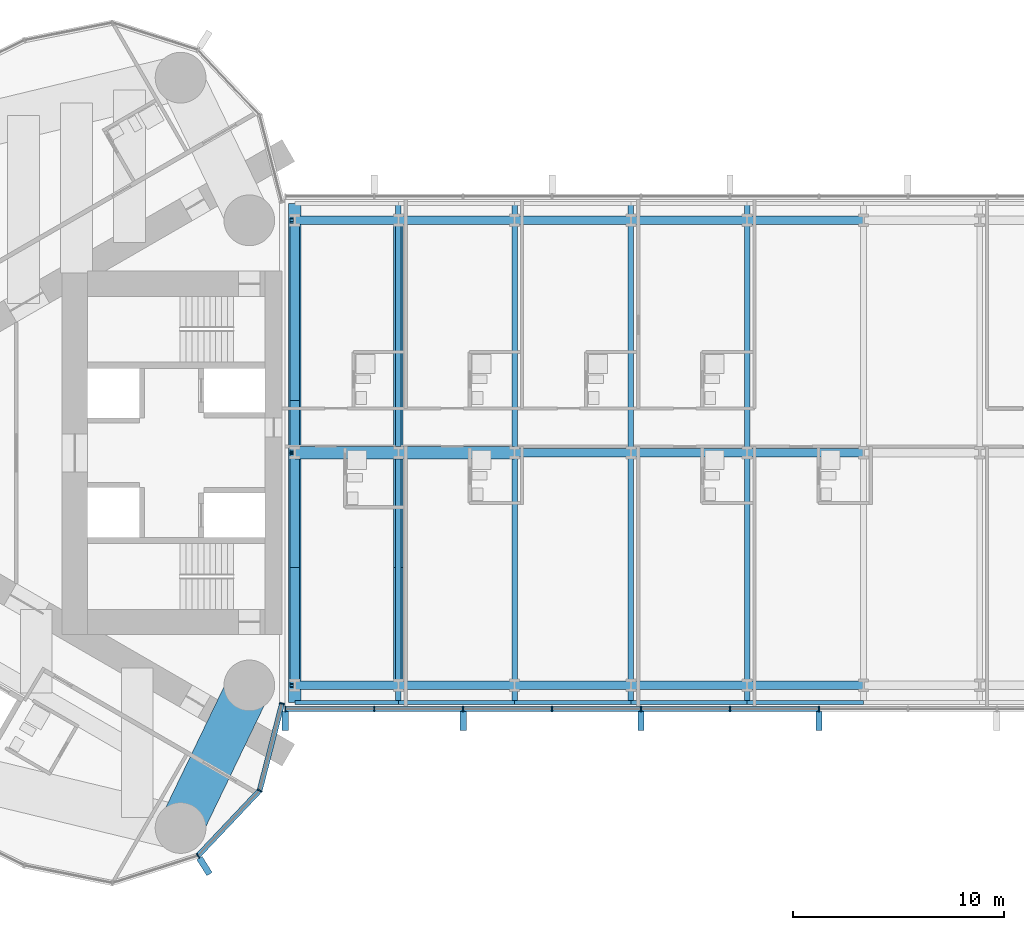
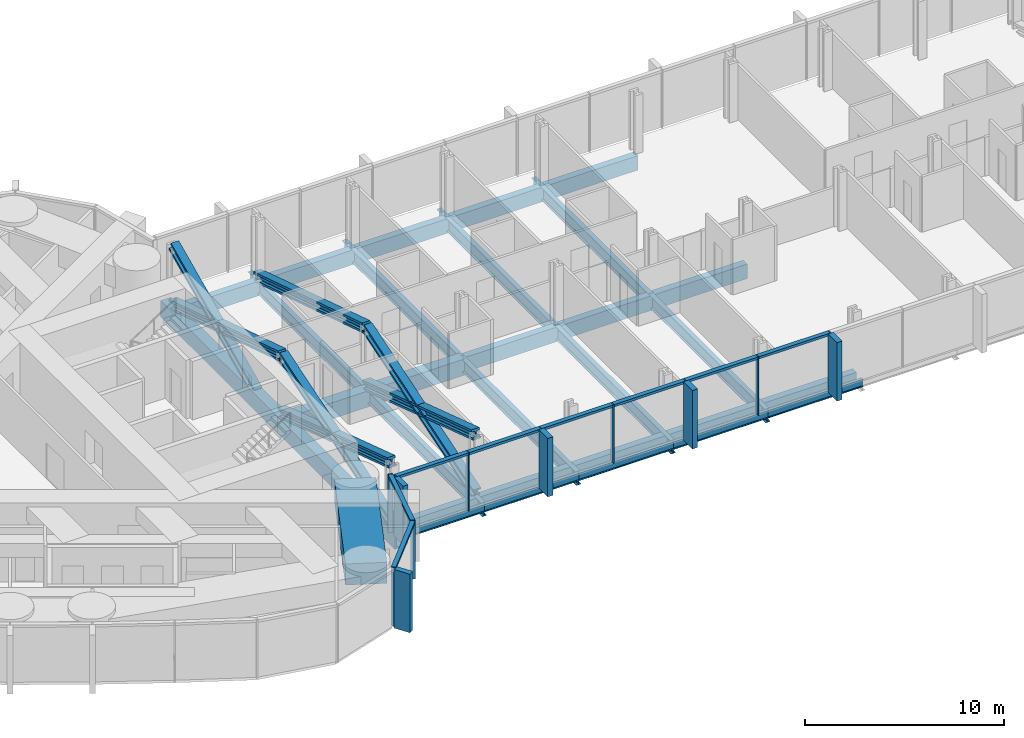
# One storey, part 4 of 22: 31 beams, 30 members, 2 elements without a shape of their own.
"""IFC4 building model written with IfcOpenShell, lengths in metres."""

import ifcopenshell
import ifcopenshell.guid

model = None  # the IFC model being written
_history = None  # IfcOwnerHistory: only IFC2X3 demands one
_inside = {}  # id of a spatial element -> (the spatial element, [elements in it])
_under = {}  # id of a project, library or spatial element -> (it, [spatial elements below it])
_declared = {}  # id of a project -> (the project, [libraries it declares])
_typed = {}  # id of a type object -> (the type object, [elements of that type])
_made_of = {}  # id of a material, layer set ... -> (it, [elements and type objects made of it])


def new_model(schema):
    """Start an empty IFC model of exactly this schema.

    Asked for "IFC4X3", IfcOpenShell would pick the latest addendum, in which some entities
    have other attributes; the version numbers below select the first issue.
    IFC2X3 requires an IfcOwnerHistory on every rooted entity: one is made here for all.
    """
    global model, _history
    if schema == "IFC4X3":
        model = ifcopenshell.file(schema_version=(4, 3, 0, 0))
    else:
        model = ifcopenshell.file(schema=schema)
    _inside.clear()
    _under.clear()
    _declared.clear()
    _typed.clear()
    _made_of.clear()
    _history = None
    if model.schema == "IFC2X3":
        org = make("IfcOrganization", Name="unknown")
        user = make(
            "IfcPersonAndOrganization",
            ThePerson=make("IfcPerson", FamilyName="unknown"),
            TheOrganization=org,
        )
        app = make(
            "IfcApplication",
            ApplicationDeveloper=org,
            Version="unknown",
            ApplicationFullName="unknown",
            ApplicationIdentifier="unknown",
        )
        _history = make(
            "IfcOwnerHistory",
            OwningUser=user,
            OwningApplication=app,
            ChangeAction="ADDED",
            CreationDate=0,
        )
    return model


def make(cls, **values):
    """One entity of the class cls with the attributes given. An attribute that is None is left unset."""
    return model.create_entity(
        cls, **{name: value for name, value in values.items() if value is not None}
    )


def rooted(cls, **values):
    """An entity with a GlobalId (a new one), such as an element, a storey or a relation."""
    return make(cls, GlobalId=ifcopenshell.guid.new(), OwnerHistory=_history, **values)


def si_unit(unit_type, name, prefix=None):
    """IfcSIUnit, for example si_unit("LENGTHUNIT", "METRE", prefix="MILLI")."""
    return make("IfcSIUnit", UnitType=unit_type, Prefix=prefix, Name=name)


def assignment(units):
    """IfcUnitAssignment: the units of a project."""
    return None if units is None else make("IfcUnitAssignment", Units=units)


def point(xyz):
    """IfcCartesianPoint."""
    return None if xyz is None else make("IfcCartesianPoint", Coordinates=xyz)


def direction(xyz):
    """IfcDirection."""
    return None if xyz is None else make("IfcDirection", DirectionRatios=xyz)


def frame(location, z_axis=None, x_axis=None):
    """IfcAxis2Placement3D, a coordinate frame: its origin and axes. An axis left out is left unset."""
    return make(
        "IfcAxis2Placement3D",
        Location=point(location),
        Axis=direction(z_axis),
        RefDirection=direction(x_axis),
    )


def frame_2d(location, x_axis=None):
    """IfcAxis2Placement2D, a coordinate frame in the plane: its origin and x axis."""
    return make(
        "IfcAxis2Placement2D", Location=point(location), RefDirection=direction(x_axis)
    )


def origin():
    """The frame at (0, 0, 0) with its axes left unset."""
    return frame((0.0, 0.0, 0.0))


def origin_2d():
    """The frame at (0, 0) in the plane with its x axis left unset."""
    return frame_2d((0.0, 0.0))


def place(relative_to, where):
    """IfcLocalPlacement: puts the frame where relative to a parent placement (None: the world)."""
    return make(
        "IfcLocalPlacement", PlacementRelTo=relative_to, RelativePlacement=where
    )


def context(
    kind, dimensions, precision=None, world=None, true_north=None, identifier=None
):
    """IfcGeometricRepresentationContext, for example the 3D "Model" context."""
    return make(
        "IfcGeometricRepresentationContext",
        ContextIdentifier=identifier,
        ContextType=kind,
        CoordinateSpaceDimension=dimensions,
        Precision=precision,
        WorldCoordinateSystem=world,
        TrueNorth=true_north,
    )


def subcontext(parent, identifier, kind, view, scale=None):
    """IfcGeometricRepresentationSubContext, for example "Body" below "Model"."""
    return make(
        "IfcGeometricRepresentationSubContext",
        ContextIdentifier=identifier,
        ContextType=kind,
        ParentContext=parent,
        TargetScale=scale,
        TargetView=view,
    )


def project(units=None, contexts=None):
    """IfcProject with its units and contexts."""
    return rooted(
        "IfcProject",
        Name="project",
        RepresentationContexts=contexts,
        UnitsInContext=assignment(units),
    )


def spatial(cls, under=None, at=None, **own):
    """A site, building, storey or space (cls), placed at a placement, below another one or the project."""
    s = rooted(cls, ObjectPlacement=at, **own)
    if under is not None:
        _under.setdefault(under.id(), (under, []))[1].append(s)
    return s


def profile(cls, at=None, kind="AREA", **sizes):
    """A parametric profile (cls). Its sizes go by their IFC names, for example OverallWidth=200.0."""
    return make(cls, ProfileType=kind, Position=at, **sizes)


def rectangle(**sizes):
    """IfcRectangleProfileDef."""
    return profile("IfcRectangleProfileDef", **sizes)


def hollow_rectangle(**sizes):
    """IfcRectangleHollowProfileDef."""
    return profile("IfcRectangleHollowProfileDef", **sizes)


def i_section(**sizes):
    """IfcIShapeProfileDef."""
    return profile("IfcIShapeProfileDef", **sizes)


def extrude(swept, where, along, depth):
    """IfcExtrudedAreaSolid: the profile swept, set in the frame where, extruded along a direction by depth."""
    return make(
        "IfcExtrudedAreaSolid",
        SweptArea=swept,
        Position=where,
        ExtrudedDirection=direction(along),
        Depth=depth,
    )


def shape(context_of_items, identifier, shape_type, items):
    """IfcShapeRepresentation: the items that make up one representation, for example the "Body"."""
    return make(
        "IfcShapeRepresentation",
        ContextOfItems=context_of_items,
        RepresentationIdentifier=identifier,
        RepresentationType=shape_type,
        Items=items,
    )


def material(Name=None, Category=None):
    """IfcMaterial."""
    return make("IfcMaterial", Name=Name, Category=Category)


def material_profile(
    of_material, cross_section, Name=None, Category=None, Priority=None
):
    """IfcMaterialProfile: a cross section and its material."""
    return make(
        "IfcMaterialProfile",
        Name=Name,
        Material=of_material,
        Profile=cross_section,
        Priority=Priority,
        Category=Category,
    )


def profile_set(profiles, Name=None, composite=None):
    """IfcMaterialProfileSet."""
    return make(
        "IfcMaterialProfileSet",
        Name=Name,
        MaterialProfiles=profiles,
        CompositeProfile=composite,
    )


def made_of(thing, what):
    """Note that an element or type object is made of a material, layer set ...; save() writes the relation."""
    if what is not None:
        _made_of.setdefault(what.id(), (what, []))[1].append(thing)
    return thing


def type_object(cls, material=None, **own):
    """A type object (cls), such as IfcWallType, which elements share."""
    return made_of(rooted(cls, **own), material)


def element(
    cls,
    number,
    at=None,
    inside=None,
    cuts=None,
    type_object=None,
    material=None,
    context=None,
    identifier="Body",
    shape_type=None,
    held_by="IfcProductDefinitionShape",
    body=None,
    shapes=None,
    **own,
):
    """One element of the class cls, such as IfcWall. Its Tag is "e" and its number.

    at: its placement. inside: the storey or other place that contains it. cuts: it is an
    opening in that element (IfcRelVoidsElement). A single representation is given by context,
    identifier, shape_type and body (its items); several are given by shapes. held_by: the class
    of the entity that holds the representations. save() writes the other relations.
    """
    e = rooted(cls, Tag="e%d" % number, ObjectPlacement=at, **own)
    if body is not None:
        shapes = [shape(context, identifier, shape_type, body)]
    if shapes is not None:
        e.Representation = make(held_by, Representations=shapes)
    if inside is not None:
        _inside.setdefault(inside.id(), (inside, []))[1].append(e)
    if cuts is not None:
        rooted(
            "IfcRelVoidsElement", RelatingBuildingElement=cuts, RelatedOpeningElement=e
        )
    if type_object is not None:
        _typed.setdefault(type_object.id(), (type_object, []))[1].append(e)
    return made_of(e, material)


def aggregate(whole, parts):
    """IfcRelAggregates: a whole, such as a stair, and the parts it consists of."""
    return rooted("IfcRelAggregates", RelatingObject=whole, RelatedObjects=parts)


def save(model, path):
    """Write the relations noted so far, then the file.

    IfcRelAggregates (storeys below a building ...), IfcRelContainedInSpatialStructure (elements
    in a storey), IfcRelDefinesByType, IfcRelAssociatesMaterial and IfcRelDeclares: one each for
    every whole, place, type object, material and project.
    """
    for whole, parts in _under.values():
        aggregate(whole, parts)
    for where, things in _inside.values():
        rooted(
            "IfcRelContainedInSpatialStructure",
            RelatedElements=things,
            RelatingStructure=where,
        )
    for kind, things in _typed.values():
        rooted("IfcRelDefinesByType", RelatedObjects=things, RelatingType=kind)
    for what, things in _made_of.values():
        rooted("IfcRelAssociatesMaterial", RelatedObjects=things, RelatingMaterial=what)
    for by, libraries in _declared.values():
        rooted("IfcRelDeclares", RelatingContext=by, RelatedDefinitions=libraries)
    model.write(path)


model = new_model("IFC4")

# Units and contexts
model_context = context("Model", 3, precision=1e-05, world=origin(), true_north=direction((0.0, 1.0)))
body_context = subcontext(model_context, "Body", "Model", "MODEL_VIEW")
ifc_project = project(units=[si_unit("LENGTHUNIT", "METRE"), si_unit("AREAUNIT", "SQUARE_METRE"), si_unit("VOLUMEUNIT", "CUBIC_METRE"), si_unit("PLANEANGLEUNIT", "RADIAN"), si_unit("MASSUNIT", "GRAM", prefix="KILO")], contexts=[model_context])

# Site, building, storey
site_placement = place(None, origin())
site = spatial("IfcSite", under=ifc_project, at=site_placement, CompositionType="ELEMENT")
building_placement = place(site_placement, origin())
building = spatial("IfcBuilding", under=site, at=building_placement, Name="Lancet Gate Hotel", CompositionType="ELEMENT")
storey_placement = place(building_placement, frame((0.0, 0.0, 233.300048828125)))
storey = spatial("IfcBuildingStorey", under=building, at=storey_placement, Name="L62", CompositionType="ELEMENT", Elevation=233.300048828125)

# Curtain wall, members
ifc_material_1 = material(Name="Aluminium curtain wall", Category="aluminium")
curtain_wall_type_1 = type_object("IfcCurtainWallType", Name="Tower unitised curtain wall", PredefinedType="USERDEFINED", material=ifc_material_1)
curtain_wall_1_placement = place(storey_placement, origin())
curtain_wall_1 = element("IfcCurtainWall", 1, at=curtain_wall_1_placement, inside=storey, type_object=curtain_wall_type_1, Name="T1 L62 curtain wall 1", ObjectType="UNITISED CURTAIN WALL", PredefinedType="USERDEFINED")
ifc_material_2 = material(Name="Aluminium mullion", Category="aluminium")
ifc_material_profile_1 = material_profile(ifc_material_2, rectangle(XDim=0.06494140625, YDim=0.25, at=origin_2d()), Name="MULLION 65x250")
ifc_profile_set_1 = profile_set([ifc_material_profile_1], Name="Aluminium mullion")
member_type_1 = type_object("IfcMemberType", Name="Aluminium mullion 65x250", PredefinedType="MULLION", material=ifc_profile_set_1)
member_1_placement = place(storey_placement, frame((-31.476318359375, -19.0576171875, 0.0), z_axis=(0.0, 0.0, 1.0), x_axis=(0.846612863, 0.532209225966, 0.0)))
member_1 = element("IfcMember", 2, at=member_1_placement, type_object=member_type_1, Name="T1 L62 curtain wall 1 mullion 23", PredefinedType="MULLION", context=body_context, shape_type="SweptSolid", body=[
    extrude(rectangle(XDim=0.06494140625, YDim=0.25, at=origin_2d()), origin(), (0.0, 0.0, 1.0), 3.599853515625),
])
member_2_placement = place(storey_placement, frame((-28.56005859375, -15.97216796875, 0.0), z_axis=(0.0, 0.0, 1.0), x_axis=(0.483627322447, 0.875274021654, 0.0)))
member_2 = element("IfcMember", 3, at=member_2_placement, type_object=member_type_1, Name="T1 L62 curtain wall 1 mullion 24", PredefinedType="MULLION", context=body_context, shape_type="SweptSolid", body=[
    extrude(rectangle(XDim=0.06494140625, YDim=0.25, at=origin_2d()), origin(), (0.0, 0.0, 1.0), 3.599853515625),
])
member_3_placement = place(storey_placement, frame((-27.5, -11.861572265625, 0.0), z_axis=(0.0, 0.0, 1.0), x_axis=(0.249725827997, 0.968316586056, 0.0)))
member_3 = element("IfcMember", 4, at=member_3_placement, type_object=member_type_1, Name="T1 L62 curtain wall 1 mullion 25", PredefinedType="MULLION", context=body_context, shape_type="SweptSolid", body=[
    extrude(rectangle(XDim=0.06494140625, YDim=0.25, at=origin_2d()), origin(), (0.0, 0.0, 1.0), 3.599853515625),
])

ifc_material_3 = material(Name="Aluminium curtain wall", Category="aluminium")
curtain_wall_type_2 = type_object("IfcCurtainWallType", Name="Bridge block curtain wall", PredefinedType="USERDEFINED", material=ifc_material_3)
curtain_wall_2_placement = place(storey_placement, origin())
curtain_wall_2 = element("IfcCurtainWall", 5, at=curtain_wall_2_placement, inside=storey, type_object=curtain_wall_type_2, Name="Bridge block L62 curtain wall S", ObjectType="UNITISED CURTAIN WALL", PredefinedType="USERDEFINED")
member_4_placement = place(storey_placement, frame((-27.35009765625, -12.1201171875, 0.0), z_axis=(0.0, 0.0, 1.0), x_axis=(1.0, 0.0, 0.0)))
member_4 = element("IfcMember", 6, at=member_4_placement, type_object=member_type_1, Name="Bridge block L62 curtain wall S mullion 1", PredefinedType="MULLION", context=body_context, shape_type="SweptSolid", body=[
    extrude(rectangle(XDim=0.06494140625, YDim=0.25, at=origin_2d()), origin(), (0.0, 0.0, 1.0), 3.599853515625),
])
member_5_placement = place(storey_placement, frame((-23.142333984375, -12.1201171875, 0.0), z_axis=(0.0, 0.0, 1.0), x_axis=(1.0, 0.0, 0.0)))
member_5 = element("IfcMember", 7, at=member_5_placement, type_object=member_type_1, Name="Bridge block L62 curtain wall S mullion 2", PredefinedType="MULLION", context=body_context, shape_type="SweptSolid", body=[
    extrude(rectangle(XDim=0.06494140625, YDim=0.25, at=origin_2d()), origin(), (0.0, 0.0, 1.0), 3.599853515625),
])
member_6_placement = place(storey_placement, frame((-18.9345703125, -12.1201171875, 0.0), z_axis=(0.0, 0.0, 1.0), x_axis=(1.0, 0.0, 0.0)))
member_6 = element("IfcMember", 8, at=member_6_placement, type_object=member_type_1, Name="Bridge block L62 curtain wall S mullion 3", PredefinedType="MULLION", context=body_context, shape_type="SweptSolid", body=[
    extrude(rectangle(XDim=0.06494140625, YDim=0.25, at=origin_2d()), origin(), (0.0, 0.0, 1.0), 3.599853515625),
])
member_7_placement = place(storey_placement, frame((-14.726806640625, -12.1201171875, 0.0), z_axis=(0.0, 0.0, 1.0), x_axis=(1.0, 0.0, 0.0)))
member_7 = element("IfcMember", 9, at=member_7_placement, type_object=member_type_1, Name="Bridge block L62 curtain wall S mullion 4", PredefinedType="MULLION", context=body_context, shape_type="SweptSolid", body=[
    extrude(rectangle(XDim=0.06494140625, YDim=0.25, at=origin_2d()), origin(), (0.0, 0.0, 1.0), 3.599853515625),
])
member_8_placement = place(storey_placement, frame((-10.519287109375, -12.1201171875, 0.0), z_axis=(0.0, 0.0, 1.0), x_axis=(1.0, 0.0, 0.0)))
member_8 = element("IfcMember", 10, at=member_8_placement, type_object=member_type_1, Name="Bridge block L62 curtain wall S mullion 5", PredefinedType="MULLION", context=body_context, shape_type="SweptSolid", body=[
    extrude(rectangle(XDim=0.06494140625, YDim=0.25, at=origin_2d()), origin(), (0.0, 0.0, 1.0), 3.599853515625),
])
member_9_placement = place(storey_placement, frame((-6.3115234375, -12.1201171875, 0.0), z_axis=(0.0, 0.0, 1.0), x_axis=(1.0, 0.0, 0.0)))
member_9 = element("IfcMember", 11, at=member_9_placement, type_object=member_type_1, Name="Bridge block L62 curtain wall S mullion 6", PredefinedType="MULLION", context=body_context, shape_type="SweptSolid", body=[
    extrude(rectangle(XDim=0.06494140625, YDim=0.25, at=origin_2d()), origin(), (0.0, 0.0, 1.0), 3.599853515625),
])
member_10_placement = place(storey_placement, frame((-2.103759765625, -12.1201171875, 0.0), z_axis=(0.0, 0.0, 1.0), x_axis=(1.0, 0.0, 0.0)))
member_10 = element("IfcMember", 12, at=member_10_placement, type_object=member_type_1, Name="Bridge block L62 curtain wall S mullion 7", PredefinedType="MULLION", context=body_context, shape_type="SweptSolid", body=[
    extrude(rectangle(XDim=0.06494140625, YDim=0.25, at=origin_2d()), origin(), (0.0, 0.0, 1.0), 3.599853515625),
])

# Member
ifc_material_4 = material(Name="Aluminium transom", Category="aluminium")
ifc_material_profile_2 = material_profile(ifc_material_4, rectangle(XDim=0.25, YDim=0.14990234375, at=origin_2d()), Name="TRANSOM 250x150")
ifc_profile_set_2 = profile_set([ifc_material_profile_2], Name="Aluminium transom")
member_type_2 = type_object("IfcMemberType", Name="Aluminium transom 250x150", PredefinedType="USERDEFINED", material=ifc_profile_set_2)
member_11_placement = place(storey_placement, frame((-31.453857421875, -19.033935546875, 3.52490234375), z_axis=(0.686880731091, 0.726770157103, 0.0), x_axis=(-0.726770157103, 0.686880731091, 0.0)))
member_11 = element("IfcMember", 13, at=member_11_placement, type_object=member_type_2, Name="T1 L62 curtain wall 1 transom 23", ObjectType="TRANSOM", PredefinedType="USERDEFINED", context=body_context, shape_type="SweptSolid", body=[
    extrude(rectangle(XDim=0.25, YDim=0.14990234375, at=origin_2d()), origin(), (0.0, 0.0, 1.0), 4.18017578125),
])

member_12_placement = place(storey_placement, frame((-28.552001953125, -15.94091796875, 3.52490234375), z_axis=(0.249715522936, 0.968319243641, 0.0), x_axis=(-0.968319243641, 0.249715522936, 0.0)))
member_12 = element("IfcMember", 14, at=member_12_placement, type_object=member_type_2, Name="T1 L62 curtain wall 1 transom 24", ObjectType="TRANSOM", PredefinedType="USERDEFINED", context=body_context, shape_type="SweptSolid", body=[
    extrude(rectangle(XDim=0.25, YDim=0.14990234375, at=origin_2d()), origin(), (0.0, 0.0, 1.0), 4.180419921875),
])

member_13_placement = place(storey_placement, frame((-27.3173828125, -12.1201171875, 3.52490234375), z_axis=(1.0, 0.0, 0.0), x_axis=(0.0, 1.0, 0.0)))
member_13 = element("IfcMember", 15, at=member_13_placement, type_object=member_type_2, Name="Bridge block L62 curtain wall S transom 1", ObjectType="TRANSOM", PredefinedType="USERDEFINED", context=body_context, shape_type="SweptSolid", body=[
    extrude(rectangle(XDim=0.25, YDim=0.14990234375, at=origin_2d()), origin(), (0.0, 0.0, 1.0), 4.142578125),
])

member_14_placement = place(storey_placement, frame((-23.10986328125, -12.1201171875, 3.52490234375), z_axis=(1.0, 0.0, 0.0), x_axis=(0.0, 1.0, 0.0)))
member_14 = element("IfcMember", 16, at=member_14_placement, type_object=member_type_2, Name="Bridge block L62 curtain wall S transom 2", ObjectType="TRANSOM", PredefinedType="USERDEFINED", context=body_context, shape_type="SweptSolid", body=[
    extrude(rectangle(XDim=0.25, YDim=0.14990234375, at=origin_2d()), origin(), (0.0, 0.0, 1.0), 4.142822265625),
])

member_15_placement = place(storey_placement, frame((-18.902099609375, -12.1201171875, 3.52490234375), z_axis=(1.0, 0.0, 0.0), x_axis=(0.0, 1.0, 0.0)))
member_15 = element("IfcMember", 17, at=member_15_placement, type_object=member_type_2, Name="Bridge block L62 curtain wall S transom 3", ObjectType="TRANSOM", PredefinedType="USERDEFINED", context=body_context, shape_type="SweptSolid", body=[
    extrude(rectangle(XDim=0.25, YDim=0.14990234375, at=origin_2d()), origin(), (0.0, 0.0, 1.0), 4.142578125),
])

member_16_placement = place(storey_placement, frame((-14.6943359375, -12.1201171875, 3.52490234375), z_axis=(1.0, 0.0, 0.0), x_axis=(0.0, 1.0, 0.0)))
member_16 = element("IfcMember", 18, at=member_16_placement, type_object=member_type_2, Name="Bridge block L62 curtain wall S transom 4", ObjectType="TRANSOM", PredefinedType="USERDEFINED", context=body_context, shape_type="SweptSolid", body=[
    extrude(rectangle(XDim=0.25, YDim=0.14990234375, at=origin_2d()), origin(), (0.0, 0.0, 1.0), 4.142578125),
])

member_17_placement = place(storey_placement, frame((-10.48681640625, -12.1201171875, 3.52490234375), z_axis=(1.0, 0.0, 0.0), x_axis=(0.0, 1.0, 0.0)))
member_17 = element("IfcMember", 19, at=member_17_placement, type_object=member_type_2, Name="Bridge block L62 curtain wall S transom 5", ObjectType="TRANSOM", PredefinedType="USERDEFINED", context=body_context, shape_type="SweptSolid", body=[
    extrude(rectangle(XDim=0.25, YDim=0.14990234375, at=origin_2d()), origin(), (0.0, 0.0, 1.0), 4.142822265625),
])

member_18_placement = place(storey_placement, frame((-6.279052734375, -12.1201171875, 3.52490234375), z_axis=(1.0, 0.0, 0.0), x_axis=(0.0, 1.0, 0.0)))
member_18 = element("IfcMember", 20, at=member_18_placement, type_object=member_type_2, Name="Bridge block L62 curtain wall S transom 6", ObjectType="TRANSOM", PredefinedType="USERDEFINED", context=body_context, shape_type="SweptSolid", body=[
    extrude(rectangle(XDim=0.25, YDim=0.14990234375, at=origin_2d()), origin(), (0.0, 0.0, 1.0), 4.142822265625),
])

# Members
ifc_material_5 = material(Name="Steel S460", Category="steel")
ifc_material_profile_3 = material_profile(ifc_material_5, i_section(OverallWidth=0.4541015625, OverallDepth=0.569091796875, WebThickness=0.077880859375, FlangeThickness=0.125, FilletRadius=0.02001953125, at=origin_2d()), Name="HD 400x1086")
ifc_profile_set_3 = profile_set([ifc_material_profile_3], Name="Steel S460")
member_type_3 = type_object("IfcMemberType", Name="Block brace HD 400x1086", PredefinedType="BRACE", material=ifc_profile_set_3)
member_19_placement = place(storey_placement, frame((-26.89990234375, -11.0, 0.0), z_axis=(0.0, 0.952925780013, 0.303203657277), x_axis=(-1.0, 0.0, 0.0)))
element("IfcMember", 21, at=member_19_placement, inside=storey, type_object=member_type_3, Name="Block brace WY11 L62", PredefinedType="BRACE", context=body_context, shape_type="SweptSolid", body=[
    extrude(i_section(OverallWidth=0.4541015625, OverallDepth=0.569091796875, WebThickness=0.077880859375, FlangeThickness=0.125, FilletRadius=0.02001953125, at=origin_2d()), origin(), (0.0, 0.0, 1.0), 11.54345703125),
])
member_20_placement = place(storey_placement, frame((-26.89990234375, 0.0, 0.0), z_axis=(0.0, -0.950400870301, 0.311027628564), x_axis=(1.0, 0.0, 0.0)))
element("IfcMember", 22, at=member_20_placement, inside=storey, type_object=member_type_3, Name="Block brace WY12 L62", PredefinedType="BRACE", context=body_context, shape_type="SweptSolid", body=[
    extrude(i_section(OverallWidth=0.4541015625, OverallDepth=0.569091796875, WebThickness=0.077880859375, FlangeThickness=0.125, FilletRadius=0.02001953125, at=origin_2d()), origin(), (0.0, 0.0, 1.0), 11.573974609375),
])
for number, where, z_axis, x_axis, name in (
    (23, (-26.89990234375, 11.0, 0.0), (0.0, -0.952925780013, 0.303203657277), (1.0, 0.0, 0.0), "Block brace WY22 L62"),
    (24, (-22.0, -11.0, 0.0), (0.0, 0.952925780013, 0.303203657277), (-1.0, 0.0, 0.0), "Block brace WI11 L62"),
):
    element("IfcMember", number, at=place(storey_placement, frame(where, z_axis=z_axis, x_axis=x_axis)), inside=storey, type_object=member_type_3, Name=name, PredefinedType="BRACE", context=body_context, shape_type="SweptSolid", body=[
        extrude(i_section(OverallWidth=0.4541015625, OverallDepth=0.569091796875, WebThickness=0.077880859375, FlangeThickness=0.125, FilletRadius=0.02001953125, at=origin_2d()), origin(), (0.0, 0.0, 1.0), 11.54345703125),
    ])
member_21_placement = place(storey_placement, frame((-22.0, 0.0, 0.0), z_axis=(0.0, -0.950400870301, 0.311027628564), x_axis=(1.0, 0.0, 0.0)))
element("IfcMember", 25, at=member_21_placement, inside=storey, type_object=member_type_3, Name="Block brace WI12 L62", PredefinedType="BRACE", context=body_context, shape_type="SweptSolid", body=[
    extrude(i_section(OverallWidth=0.4541015625, OverallDepth=0.569091796875, WebThickness=0.077880859375, FlangeThickness=0.125, FilletRadius=0.02001953125, at=origin_2d()), origin(), (0.0, 0.0, 1.0), 11.573974609375),
])
member_22_placement = place(storey_placement, frame((-22.0, 11.0, 0.0), z_axis=(0.0, -0.952925780013, 0.303203657277), x_axis=(1.0, 0.0, 0.0)))
element("IfcMember", 26, at=member_22_placement, inside=storey, type_object=member_type_3, Name="Block brace WI22 L62", PredefinedType="BRACE", context=body_context, shape_type="SweptSolid", body=[
    extrude(i_section(OverallWidth=0.4541015625, OverallDepth=0.569091796875, WebThickness=0.077880859375, FlangeThickness=0.125, FilletRadius=0.02001953125, at=origin_2d()), origin(), (0.0, 0.0, 1.0), 11.54345703125),
])
member_23_placement = place(storey_placement, frame((-26.89990234375, 2.60009765625, -0.300048828125), z_axis=(0.0, 0.907011125382, 0.421106659212), x_axis=(-1.0, 0.0, 0.0)))
element("IfcMember", 27, at=member_23_placement, inside=storey, type_object=member_type_3, Name="Block brace WY23 L62", PredefinedType="BRACE", context=body_context, shape_type="SweptSolid", body=[
    extrude(i_section(OverallWidth=0.4541015625, OverallDepth=0.569091796875, WebThickness=0.077880859375, FlangeThickness=0.125, FilletRadius=0.02001953125, at=origin_2d()), origin(), (0.0, 0.0, 1.0), 9.260986328125),
])

# Beams
ifc_material_6 = material(Name="Steel S355", Category="steel")
ifc_material_profile_4 = material_profile(ifc_material_6, i_section(OverallWidth=0.19140625, OverallDepth=0.4599609375, WebThickness=0.010009765625, FlangeThickness=0.01611328125, FilletRadius=0.01025390625, at=origin_2d()), Name="UKB 457x191x82")
ifc_profile_set_4 = profile_set([ifc_material_profile_4], Name="Steel S355")
beam_type_1 = type_object("IfcBeamType", Name="Block edge beam UKB 457x191x82", PredefinedType="SPANDREL", material=ifc_profile_set_4)
beam_1_placement = place(storey_placement, frame((-26.89990234375, -11.800048828125, -0.429931640625), z_axis=(1.0, 0.0, 0.0), x_axis=(0.0, 1.0, 0.0)))
element("IfcBeam", 28, at=beam_1_placement, inside=storey, type_object=beam_type_1, Name="Block edge beam S 0-1 L62", PredefinedType="SPANDREL", context=body_context, shape_type="SweptSolid", body=[
    extrude(i_section(OverallWidth=0.19140625, OverallDepth=0.4599609375, WebThickness=0.010009765625, FlangeThickness=0.01611328125, FilletRadius=0.01025390625, at=origin_2d()), origin(), (0.0, 0.0, 1.0), 4.89990234375),
])
for number, where, z_axis, x_axis, name in (
    (29, (-22.0, -11.800048828125, -0.429931640625), (1.0, 0.0, 0.0), (0.0, 1.0, 0.0), "Block edge beam S 1-2 L62"),
    (30, (-16.5, -11.800048828125, -0.429931640625), (1.0, 0.0, 0.0), (0.0, 1.0, 0.0), "Block edge beam S 2-3 L62"),
    (31, (-11.0, -11.800048828125, -0.429931640625), (1.0, 0.0, 0.0), (0.0, 1.0, 0.0), "Block edge beam S 3-4 L62"),
    (32, (-5.5, -11.800048828125, -0.429931640625), (1.0, 0.0, 0.0), (0.0, 1.0, 0.0), "Block edge beam S 4-5 L62"),
):
    element("IfcBeam", number, at=place(storey_placement, frame(where, z_axis=z_axis, x_axis=x_axis)), inside=storey, type_object=beam_type_1, Name=name, PredefinedType="SPANDREL", context=body_context, shape_type="SweptSolid", body=[
        extrude(i_section(OverallWidth=0.19140625, OverallDepth=0.4599609375, WebThickness=0.010009765625, FlangeThickness=0.01611328125, FilletRadius=0.01025390625, at=origin_2d()), origin(), (0.0, 0.0, 1.0), 5.5),
    ])
ifc_material_7 = material(Name="Steel S460QL", Category="steel")
ifc_material_profile_5 = material_profile(ifc_material_7, hollow_rectangle(XDim=0.60009765625, YDim=1.0, WallThickness=0.10009765625, at=origin_2d()), Name="BOX 1000x600x100")
ifc_profile_set_5 = profile_set([ifc_material_profile_5], Name="Steel S460QL")
beam_type_2 = type_object("IfcBeamType", Name="Block end beam BOX 1000x600x100", PredefinedType="BEAM", material=ifc_profile_set_5)
for number, where, z_axis, x_axis, name in (
    (33, (-26.89990234375, -11.800048828125, -0.699951171875), (0.0, 1.0, 0.0), (-1.0, 0.0, 0.0), "Block beam x0 S L62"),
    (34, (-26.89990234375, 0.0, -0.699951171875), (0.0, 1.0, 0.0), (-1.0, 0.0, 0.0), "Block beam x0 N L62"),
):
    element("IfcBeam", number, at=place(storey_placement, frame(where, z_axis=z_axis, x_axis=x_axis)), inside=storey, type_object=beam_type_2, Name=name, PredefinedType="BEAM", context=body_context, shape_type="SweptSolid", body=[
        extrude(hollow_rectangle(XDim=0.60009765625, YDim=1.0, WallThickness=0.10009765625, at=origin_2d()), origin(), (0.0, 0.0, 1.0), 11.800048828125),
    ])
ifc_material_8 = material(Name="Steel S460QL", Category="steel")
ifc_material_profile_6 = material_profile(ifc_material_8, hollow_rectangle(XDim=0.60009765625, YDim=1.0, WallThickness=0.080078125, at=origin_2d()), Name="BOX 1000x600x80")
ifc_profile_set_6 = profile_set([ifc_material_profile_6], Name="Steel S460QL")
beam_type_3 = type_object("IfcBeamType", Name="Block primary beam BOX 1000x600x80", PredefinedType="BEAM", material=ifc_profile_set_6)
beam_2_placement = place(storey_placement, frame((-26.89990234375, 0.0, -0.699951171875), z_axis=(1.0, 0.0, 0.0), x_axis=(0.0, 1.0, 0.0)))
element("IfcBeam", 35, at=beam_2_placement, inside=storey, type_object=beam_type_3, Name="Block primary beam M 1 L62", PredefinedType="BEAM", context=body_context, shape_type="SweptSolid", body=[
    extrude(hollow_rectangle(XDim=0.60009765625, YDim=1.0, WallThickness=0.080078125, at=origin_2d()), origin(), (0.0, 0.0, 1.0), 4.89990234375),
])
beam_3_placement = place(storey_placement, frame((-22.0, 0.0, -0.699951171875), z_axis=(1.0, 0.0, 0.0), x_axis=(0.0, 1.0, 0.0)))
element("IfcBeam", 36, at=beam_3_placement, inside=storey, type_object=beam_type_3, Name="Block primary beam M 2 L62", PredefinedType="BEAM", context=body_context, shape_type="SweptSolid", body=[
    extrude(hollow_rectangle(XDim=0.60009765625, YDim=1.0, WallThickness=0.080078125, at=origin_2d()), origin(), (0.0, 0.0, 1.0), 5.5),
])
ifc_material_9 = material(Name="Steel S355", Category="steel")
ifc_material_profile_7 = material_profile(ifc_material_9, hollow_rectangle(XDim=0.39990234375, YDim=0.89990234375, WallThickness=0.0400390625, at=origin_2d()), Name="BOX 900x400x40")
ifc_profile_set_7 = profile_set([ifc_material_profile_7], Name="Steel S355")
beam_type_4 = type_object("IfcBeamType", Name="Block primary beam BOX 900x400x40", PredefinedType="BEAM", material=ifc_profile_set_7)
beam_4_placement = place(storey_placement, frame((-26.89990234375, -11.0, -0.650146484375), z_axis=(1.0, 0.0, 0.0), x_axis=(0.0, 1.0, 0.0)))
element("IfcBeam", 37, at=beam_4_placement, inside=storey, type_object=beam_type_4, Name="Block primary beam S 1 L62", PredefinedType="BEAM", context=body_context, shape_type="SweptSolid", body=[
    extrude(hollow_rectangle(XDim=0.39990234375, YDim=0.89990234375, WallThickness=0.0400390625, at=origin_2d()), origin(), (0.0, 0.0, 1.0), 4.89990234375),
])
for number, where, z_axis, x_axis, name in (
    (38, (-22.0, -11.0, -0.650146484375), (1.0, 0.0, 0.0), (0.0, 1.0, 0.0), "Block primary beam S 2 L62"),
    (39, (-16.5, -11.0, -0.650146484375), (1.0, 0.0, 0.0), (0.0, 1.0, 0.0), "Block primary beam S 3 L62"),
    (40, (-11.0, -11.0, -0.650146484375), (1.0, 0.0, 0.0), (0.0, 1.0, 0.0), "Block primary beam S 4 L62"),
    (41, (-5.5, -11.0, -0.650146484375), (1.0, 0.0, 0.0), (0.0, 1.0, 0.0), "Block primary beam S 5 L62"),
    (42, (-16.5, 0.0, -0.650146484375), (1.0, 0.0, 0.0), (0.0, 1.0, 0.0), "Block primary beam M 3 L62"),
    (43, (-11.0, 0.0, -0.650146484375), (1.0, 0.0, 0.0), (0.0, 1.0, 0.0), "Block primary beam M 4 L62"),
    (44, (-5.5, 0.0, -0.650146484375), (1.0, 0.0, 0.0), (0.0, 1.0, 0.0), "Block primary beam M 5 L62"),
):
    element("IfcBeam", number, at=place(storey_placement, frame(where, z_axis=z_axis, x_axis=x_axis)), inside=storey, type_object=beam_type_4, Name=name, PredefinedType="BEAM", context=body_context, shape_type="SweptSolid", body=[
        extrude(hollow_rectangle(XDim=0.39990234375, YDim=0.89990234375, WallThickness=0.0400390625, at=origin_2d()), origin(), (0.0, 0.0, 1.0), 5.5),
    ])
beam_5_placement = place(storey_placement, frame((-26.89990234375, 11.0, -0.650146484375), z_axis=(1.0, 0.0, 0.0), x_axis=(0.0, 1.0, 0.0)))
element("IfcBeam", 45, at=beam_5_placement, inside=storey, type_object=beam_type_4, Name="Block primary beam N 1 L62", PredefinedType="BEAM", context=body_context, shape_type="SweptSolid", body=[
    extrude(hollow_rectangle(XDim=0.39990234375, YDim=0.89990234375, WallThickness=0.0400390625, at=origin_2d()), origin(), (0.0, 0.0, 1.0), 4.89990234375),
])
for number, where, z_axis, x_axis, name in (
    (46, (-22.0, 11.0, -0.650146484375), (1.0, 0.0, 0.0), (0.0, 1.0, 0.0), "Block primary beam N 2 L62"),
    (47, (-16.5, 11.0, -0.650146484375), (1.0, 0.0, 0.0), (0.0, 1.0, 0.0), "Block primary beam N 3 L62"),
    (48, (-11.0, 11.0, -0.650146484375), (1.0, 0.0, 0.0), (0.0, 1.0, 0.0), "Block primary beam N 4 L62"),
    (49, (-5.5, 11.0, -0.650146484375), (1.0, 0.0, 0.0), (0.0, 1.0, 0.0), "Block primary beam N 5 L62"),
):
    element("IfcBeam", number, at=place(storey_placement, frame(where, z_axis=z_axis, x_axis=x_axis)), inside=storey, type_object=beam_type_4, Name=name, PredefinedType="BEAM", context=body_context, shape_type="SweptSolid", body=[
        extrude(hollow_rectangle(XDim=0.39990234375, YDim=0.89990234375, WallThickness=0.0400390625, at=origin_2d()), origin(), (0.0, 0.0, 1.0), 5.5),
    ])
ifc_material_10 = material(Name="Steel S355", Category="steel")
ifc_material_profile_8 = material_profile(ifc_material_10, i_section(OverallWidth=0.26806640625, OverallDepth=0.769775390625, WebThickness=0.015625, FlangeThickness=0.025390625, FilletRadius=0.0166015625, at=origin_2d()), Name="UKB 762x267x197")
ifc_profile_set_8 = profile_set([ifc_material_profile_8], Name="Steel S355")
beam_type_5 = type_object("IfcBeamType", Name="Block secondary beam UKB 762x267x197", PredefinedType="JOIST", material=ifc_profile_set_8)
for number, where, z_axis, x_axis, name in (
    (50, (-22.0, -11.800048828125, -0.5849609375), (0.0, 1.0, 0.0), (-1.0, 0.0, 0.0), "Block beam x1 S L62"),
    (51, (-22.0, 0.0, -0.5849609375), (0.0, 1.0, 0.0), (-1.0, 0.0, 0.0), "Block beam x1 N L62"),
    (52, (-16.5, -11.800048828125, -0.5849609375), (0.0, 1.0, 0.0), (-1.0, 0.0, 0.0), "Block beam x2 S L62"),
    (53, (-16.5, 0.0, -0.5849609375), (0.0, 1.0, 0.0), (-1.0, 0.0, 0.0), "Block beam x2 N L62"),
    (54, (-11.0, -11.800048828125, -0.5849609375), (0.0, 1.0, 0.0), (-1.0, 0.0, 0.0), "Block beam x3 S L62"),
    (55, (-11.0, 0.0, -0.5849609375), (0.0, 1.0, 0.0), (-1.0, 0.0, 0.0), "Block beam x3 N L62"),
    (56, (-5.5, -11.800048828125, -0.5849609375), (0.0, 1.0, 0.0), (-1.0, 0.0, 0.0), "Block beam x4 S L62"),
    (57, (-5.5, 0.0, -0.5849609375), (0.0, 1.0, 0.0), (-1.0, 0.0, 0.0), "Block beam x4 N L62"),
):
    element("IfcBeam", number, at=place(storey_placement, frame(where, z_axis=z_axis, x_axis=x_axis)), inside=storey, type_object=beam_type_5, Name=name, PredefinedType="JOIST", context=body_context, shape_type="SweptSolid", body=[
        extrude(i_section(OverallWidth=0.26806640625, OverallDepth=0.769775390625, WebThickness=0.015625, FlangeThickness=0.025390625, FilletRadius=0.0166015625, at=origin_2d()), origin(), (0.0, 0.0, 1.0), 11.800048828125),
    ])
ifc_material_11 = material(Name="Concrete C50/60", Category="concrete")
ifc_material_profile_9 = material_profile(ifc_material_11, rectangle(XDim=2.10009765625, YDim=1.300048828125, at=origin_2d()), Name="RC 2100x1300")
ifc_profile_set_9 = profile_set([ifc_material_profile_9], Name="Concrete C50/60")
beam_type_6 = type_object("IfcBeamType", Name="Edge beam RC 2100x1300", PredefinedType="SPANDREL", material=ifc_profile_set_9)
beam_6_placement = place(storey_placement, frame((-29.050048828125, -11.0, 2.699951171875), z_axis=(-0.434163599361, -0.900834040759, 0.0), x_axis=(0.900834040759, -0.434163599361, 0.0)))
element("IfcBeam", 58, at=beam_6_placement, inside=storey, type_object=beam_type_6, Name="T1 edge beam EB1 L62", PredefinedType="SPANDREL", context=body_context, shape_type="SweptSolid", body=[
    extrude(rectangle(XDim=2.10009765625, YDim=1.300048828125, at=origin_2d()), origin(), (0.0, 0.0, 1.0), 7.48779296875),
])

# Member
ifc_material_12 = material(Name="Precast concrete C50/60", Category="concrete")
ifc_material_profile_10 = material_profile(ifc_material_12, rectangle(XDim=0.300048828125, YDim=0.89990234375, at=origin_2d()), Name="FIN 300x900")
ifc_profile_set_10 = profile_set([ifc_material_profile_10], Name="Precast concrete C50/60")
member_type_4 = type_object("IfcMemberType", Name="Exposed concrete fin 300x900", PredefinedType="USERDEFINED", material=ifc_profile_set_10)
member_24_placement = place(storey_placement, frame((-31.170166015625, -19.54443359375, 0.0), z_axis=(0.0, 0.0, 1.0), x_axis=(0.846612863, 0.532209225966, 0.0)))
member_24 = element("IfcMember", 59, at=member_24_placement, type_object=member_type_4, Name="T1 L62 curtain wall 1 fin 23", ObjectType="FIN", PredefinedType="USERDEFINED", context=body_context, shape_type="SweptSolid", body=[
    extrude(rectangle(XDim=0.300048828125, YDim=0.89990234375, at=origin_2d()), origin(), (0.0, 0.0, 1.0), 3.599853515625),
])

aggregate(curtain_wall_1, [member_1, member_24, member_2, member_3, member_11, member_12])

member_25_placement = place(storey_placement, frame((-27.35009765625, -12.695068359375, 0.0), z_axis=(0.0, 0.0, 1.0), x_axis=(1.0, 0.0, 0.0)))
member_25 = element("IfcMember", 60, at=member_25_placement, type_object=member_type_4, Name="Bridge block L62 curtain wall S fin 1", ObjectType="FIN", PredefinedType="USERDEFINED", context=body_context, shape_type="SweptSolid", body=[
    extrude(rectangle(XDim=0.300048828125, YDim=0.89990234375, at=origin_2d()), origin(), (0.0, 0.0, 1.0), 3.599853515625),
])

member_26_placement = place(storey_placement, frame((-18.9345703125, -12.695068359375, 0.0), z_axis=(0.0, 0.0, 1.0), x_axis=(1.0, 0.0, 0.0)))
member_26 = element("IfcMember", 61, at=member_26_placement, type_object=member_type_4, Name="Bridge block L62 curtain wall S fin 3", ObjectType="FIN", PredefinedType="USERDEFINED", context=body_context, shape_type="SweptSolid", body=[
    extrude(rectangle(XDim=0.300048828125, YDim=0.89990234375, at=origin_2d()), origin(), (0.0, 0.0, 1.0), 3.599853515625),
])

member_27_placement = place(storey_placement, frame((-10.519287109375, -12.695068359375, 0.0), z_axis=(0.0, 0.0, 1.0), x_axis=(1.0, 0.0, 0.0)))
member_27 = element("IfcMember", 62, at=member_27_placement, type_object=member_type_4, Name="Bridge block L62 curtain wall S fin 5", ObjectType="FIN", PredefinedType="USERDEFINED", context=body_context, shape_type="SweptSolid", body=[
    extrude(rectangle(XDim=0.300048828125, YDim=0.89990234375, at=origin_2d()), origin(), (0.0, 0.0, 1.0), 3.599853515625),
])

member_28_placement = place(storey_placement, frame((-2.103759765625, -12.695068359375, 0.0), z_axis=(0.0, 0.0, 1.0), x_axis=(1.0, 0.0, 0.0)))
member_28 = element("IfcMember", 63, at=member_28_placement, type_object=member_type_4, Name="Bridge block L62 curtain wall S fin 7", ObjectType="FIN", PredefinedType="USERDEFINED", context=body_context, shape_type="SweptSolid", body=[
    extrude(rectangle(XDim=0.300048828125, YDim=0.89990234375, at=origin_2d()), origin(), (0.0, 0.0, 1.0), 3.599853515625),
])

aggregate(curtain_wall_2, [member_4, member_25, member_5, member_6, member_26, member_7, member_8, member_27, member_9, member_10, member_28, member_13, member_14, member_15, member_16, member_17, member_18])

save(model, "model.ifc")
